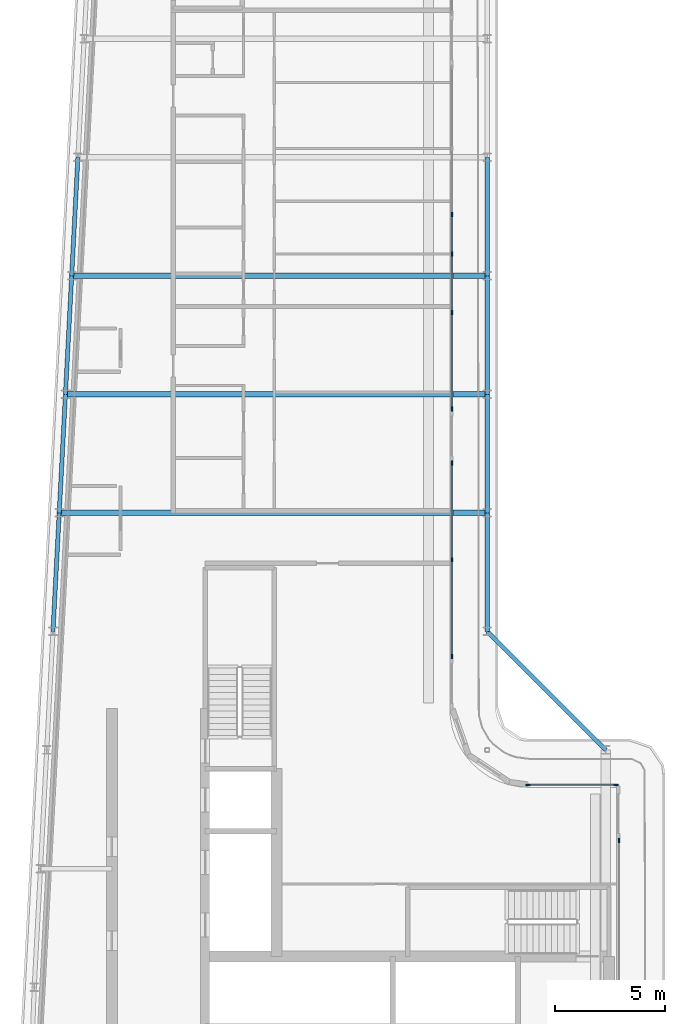
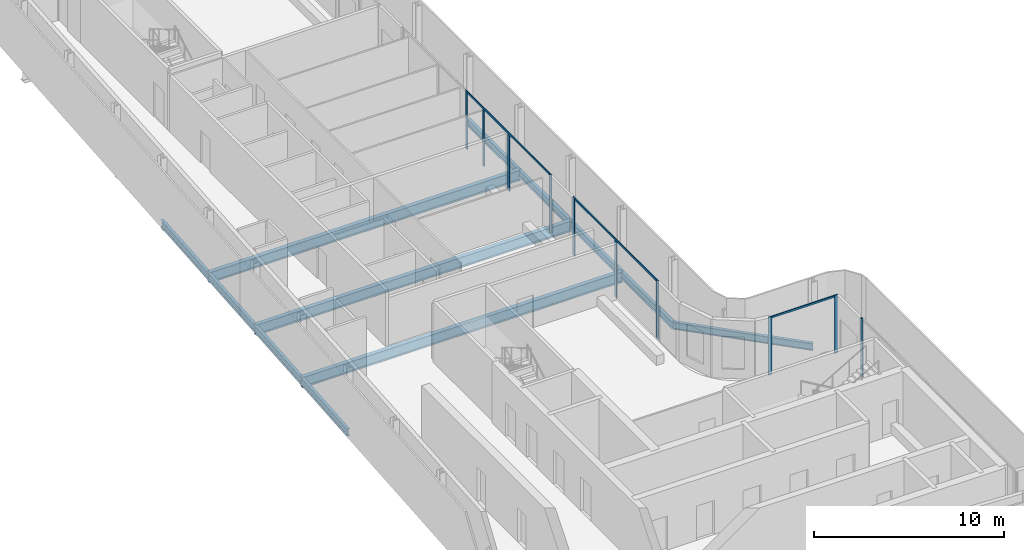
# One storey, part 5 of 19: 13 members, 12 beams, 5 elements without a shape of their own.
"""IFC4 building model written with IfcOpenShell, lengths in metres."""

from ifc_helpers import new_model, si_unit, direction, frame, origin, origin_2d, place, context, subcontext, project, spatial, rectangle, i_section, extrude, material, layer, layer_set, material_profile, profile_set, type_object, element, aggregate, save


model = new_model("IFC4")

# Units and contexts
model_context = context("Model", 3, precision=1e-05, world=origin(), true_north=direction((0.0, 1.0)))
body_context = subcontext(model_context, "Body", "Model", "MODEL_VIEW")
ifc_project = project(units=[si_unit("LENGTHUNIT", "METRE"), si_unit("AREAUNIT", "SQUARE_METRE"), si_unit("VOLUMEUNIT", "CUBIC_METRE"), si_unit("PLANEANGLEUNIT", "RADIAN"), si_unit("MASSUNIT", "GRAM", prefix="KILO")], contexts=[model_context])

# Site, building, storey
site_placement = place(None, origin())
site = spatial("IfcSite", under=ifc_project, at=site_placement, CompositionType="ELEMENT")
building_placement = place(site_placement, origin())
building = spatial("IfcBuilding", under=site, at=building_placement, Name="Kheshtan School and Residences Tower", CompositionType="ELEMENT")
storey_placement = place(building_placement, frame((0.0, 0.0, 357.800048828125)))
storey = spatial("IfcBuildingStorey", under=building, at=storey_placement, Name="L84", CompositionType="ELEMENT", Elevation=357.800048828125)

# Beams
ifc_material_1 = material(Name="Steel ASTM A992 Grade 50", Category="steel")
ifc_material_profile_1 = material_profile(ifc_material_1, i_section(OverallWidth=0.2529296875, OverallDepth=0.677978515625, WebThickness=0.01171875, FlangeThickness=0.016357421875, FilletRadius=0.0146484375, at=origin_2d()), Name="W690x125")
ifc_profile_set_1 = profile_set([ifc_material_profile_1], Name="Steel ASTM A992 Grade 50")
beam_type_1 = type_object("IfcBeamType", Name="Beam FB6 W690x125 ASTM A992 Grade 50", PredefinedType="BEAM", material=ifc_profile_set_1)
beam_1_placement = place(storey_placement, frame((47.60009765625, 67.199951171875, -0.489013671875), z_axis=(-1.0, 0.0, 0.0), x_axis=(0.0, -1.0, 0.0)))
element("IfcBeam", 1, at=beam_1_placement, inside=storey, type_object=beam_type_1, Name="Floor beam C085", PredefinedType="BEAM", context=body_context, shape_type="SweptSolid", body=[
    extrude(i_section(OverallWidth=0.2529296875, OverallDepth=0.677978515625, WebThickness=0.01171875, FlangeThickness=0.016357421875, FilletRadius=0.0146484375, at=origin_2d()), origin(), (0.0, 0.0, 1.0), 18.926025390625),
])
beam_2_placement = place(storey_placement, frame((47.60009765625, 56.39990234375, -0.489013671875), z_axis=(-1.0, 0.0, 0.0), x_axis=(0.0, -1.0, 0.0)))
element("IfcBeam", 2, at=beam_2_placement, inside=storey, type_object=beam_type_1, Name="Floor beam C081", PredefinedType="BEAM", context=body_context, shape_type="SweptSolid", body=[
    extrude(i_section(OverallWidth=0.2529296875, OverallDepth=0.677978515625, WebThickness=0.01171875, FlangeThickness=0.016357421875, FilletRadius=0.0146484375, at=origin_2d()), origin(), (0.0, 0.0, 1.0), 19.494140625),
])
beam_3_placement = place(storey_placement, frame((28.389892578125, 61.800048828125, -0.489013671875), z_axis=(1.0, 0.0, 0.0), x_axis=(0.0, 1.0, 0.0)))
element("IfcBeam", 3, at=beam_3_placement, inside=storey, type_object=beam_type_1, Name="Floor beam C082", PredefinedType="BEAM", context=body_context, shape_type="SweptSolid", body=[
    extrude(i_section(OverallWidth=0.2529296875, OverallDepth=0.677978515625, WebThickness=0.01171875, FlangeThickness=0.016357421875, FilletRadius=0.0146484375, at=origin_2d()), origin(), (0.0, 0.0, 1.0), 19.210205078125),
])
ifc_material_profile_2 = material_profile(ifc_material_1, i_section(OverallWidth=0.18994140625, OverallDepth=0.45703125, WebThickness=0.009033203125, FlangeThickness=0.014404296875, FilletRadius=0.01318359375, at=origin_2d()), Name="W460x74")
ifc_profile_set_2 = profile_set([ifc_material_profile_2], Name="Steel ASTM A992 Grade 50")
beam_type_2 = type_object("IfcBeamType", Name="Beam SP4 W460x74 ASTM A992 Grade 50", PredefinedType="BEAM", material=ifc_profile_set_2)
beam_4_placement = place(storey_placement, frame((47.60009765625, 72.60009765625, -0.378662109375), z_axis=(0.0, -1.0, 0.0), x_axis=(1.0, 0.0, 0.0)))
element("IfcBeam", 4, at=beam_4_placement, inside=storey, type_object=beam_type_2, Name="Spandrel beam C087-C085", PredefinedType="BEAM", context=body_context, shape_type="SweptSolid", body=[
    extrude(i_section(OverallWidth=0.18994140625, OverallDepth=0.45703125, WebThickness=0.009033203125, FlangeThickness=0.014404296875, FilletRadius=0.01318359375, at=origin_2d()), origin(), (0.0, 0.0, 1.0), 5.400146484375),
])
beam_5_placement = place(storey_placement, frame((47.60009765625, 67.199951171875, -0.378662109375), z_axis=(0.0, -1.0, 0.0), x_axis=(1.0, 0.0, 0.0)))
element("IfcBeam", 5, at=beam_5_placement, inside=storey, type_object=beam_type_2, Name="Spandrel beam C085-C083", PredefinedType="BEAM", context=body_context, shape_type="SweptSolid", body=[
    extrude(i_section(OverallWidth=0.18994140625, OverallDepth=0.45703125, WebThickness=0.009033203125, FlangeThickness=0.014404296875, FilletRadius=0.01318359375, at=origin_2d()), origin(), (0.0, 0.0, 1.0), 5.39990234375),
])
beam_6_placement = place(storey_placement, frame((47.60009765625, 61.800048828125, -0.378662109375), z_axis=(0.0, -1.0, 0.0), x_axis=(1.0, 0.0, 0.0)))
element("IfcBeam", 6, at=beam_6_placement, inside=storey, type_object=beam_type_2, Name="Spandrel beam C083-C081", PredefinedType="BEAM", context=body_context, shape_type="SweptSolid", body=[
    extrude(i_section(OverallWidth=0.18994140625, OverallDepth=0.45703125, WebThickness=0.009033203125, FlangeThickness=0.014404296875, FilletRadius=0.01318359375, at=origin_2d()), origin(), (0.0, 0.0, 1.0), 5.400146484375),
])
beam_7_placement = place(storey_placement, frame((47.60009765625, 56.39990234375, -0.378662109375), z_axis=(0.0, -1.0, 0.0), x_axis=(1.0, 0.0, 0.0)))
element("IfcBeam", 7, at=beam_7_placement, inside=storey, type_object=beam_type_2, Name="Spandrel beam C081-C079", PredefinedType="BEAM", context=body_context, shape_type="SweptSolid", body=[
    extrude(i_section(OverallWidth=0.18994140625, OverallDepth=0.45703125, WebThickness=0.009033203125, FlangeThickness=0.014404296875, FilletRadius=0.01318359375, at=origin_2d()), origin(), (0.0, 0.0, 1.0), 5.39990234375),
])
beam_8_placement = place(storey_placement, frame((47.60009765625, 51.0, -0.378662109375), z_axis=(0.707106781187, -0.707106781187, 0.0), x_axis=(0.707106781187, 0.707106781187, 0.0)))
element("IfcBeam", 8, at=beam_8_placement, inside=storey, type_object=beam_type_2, Name="Spandrel beam C079-C061", PredefinedType="BEAM", context=body_context, shape_type="SweptSolid", body=[
    extrude(i_section(OverallWidth=0.18994140625, OverallDepth=0.45703125, WebThickness=0.009033203125, FlangeThickness=0.014404296875, FilletRadius=0.01318359375, at=origin_2d()), origin(), (0.0, 0.0, 1.0), 7.63671875),
])
beam_9_placement = place(storey_placement, frame((27.822021484375, 51.0, -0.378662109375), z_axis=(0.05250906864, 0.998620447272, 0.0), x_axis=(-0.998620447272, 0.05250906864, 0.0)))
element("IfcBeam", 9, at=beam_9_placement, inside=storey, type_object=beam_type_2, Name="Spandrel beam C078-C080", PredefinedType="BEAM", context=body_context, shape_type="SweptSolid", body=[
    extrude(i_section(OverallWidth=0.18994140625, OverallDepth=0.45703125, WebThickness=0.009033203125, FlangeThickness=0.014404296875, FilletRadius=0.01318359375, at=origin_2d()), origin(), (0.0, 0.0, 1.0), 5.407470703125),
])
beam_10_placement = place(storey_placement, frame((28.10595703125, 56.39990234375, -0.378662109375), z_axis=(0.05250670125, 0.998620571751, 0.0), x_axis=(-0.998620571751, 0.05250670125, 0.0)))
element("IfcBeam", 10, at=beam_10_placement, inside=storey, type_object=beam_type_2, Name="Spandrel beam C080-C082", PredefinedType="BEAM", context=body_context, shape_type="SweptSolid", body=[
    extrude(i_section(OverallWidth=0.18994140625, OverallDepth=0.45703125, WebThickness=0.009033203125, FlangeThickness=0.014404296875, FilletRadius=0.01318359375, at=origin_2d()), origin(), (0.0, 0.0, 1.0), 5.40771484375),
])
beam_11_placement = place(storey_placement, frame((28.389892578125, 61.800048828125, -0.378662109375), z_axis=(0.052554093665, 0.998618078766, 0.0), x_axis=(-0.998618078766, 0.052554093665, 0.0)))
element("IfcBeam", 11, at=beam_11_placement, inside=storey, type_object=beam_type_2, Name="Spandrel beam C082-C084", PredefinedType="BEAM", context=body_context, shape_type="SweptSolid", body=[
    extrude(i_section(OverallWidth=0.18994140625, OverallDepth=0.45703125, WebThickness=0.009033203125, FlangeThickness=0.014404296875, FilletRadius=0.01318359375, at=origin_2d()), origin(), (0.0, 0.0, 1.0), 5.407470703125),
])
beam_12_placement = place(storey_placement, frame((28.674072265625, 67.199951171875, -0.378662109375), z_axis=(0.05250670125, 0.998620571751, 0.0), x_axis=(-0.998620571751, 0.05250670125, 0.0)))
element("IfcBeam", 12, at=beam_12_placement, inside=storey, type_object=beam_type_2, Name="Spandrel beam C084-C086", PredefinedType="BEAM", context=body_context, shape_type="SweptSolid", body=[
    extrude(i_section(OverallWidth=0.18994140625, OverallDepth=0.45703125, WebThickness=0.009033203125, FlangeThickness=0.014404296875, FilletRadius=0.01318359375, at=origin_2d()), origin(), (0.0, 0.0, 1.0), 5.40771484375),
])

# Curtain wall, members
ifc_material_2 = material(Name="Clear low-e glass in thermally broken aluminium frame", Category="aluminium")
ifc_layer_1 = layer(ifc_material_2, 0.199951171875)
ifc_layer_set_1 = layer_set([ifc_layer_1], Name="Curtain wall CW-B")
curtain_wall_type_1 = type_object("IfcCurtainWallType", Name="Curtain wall CW-B", PredefinedType="NOTDEFINED", material=ifc_layer_set_1)
curtain_wall_1_placement = place(storey_placement, origin())
curtain_wall_1 = element("IfcCurtainWall", 13, at=curtain_wall_1_placement, inside=storey, type_object=curtain_wall_type_1, Name="Curtain wall CWB8", PredefinedType="NOTDEFINED")
ifc_material_3 = material(Name="Thermally broken aluminium, dark bronze anodised", Category="aluminium")
ifc_material_profile_3 = material_profile(ifc_material_3, rectangle(XDim=0.06005859375, YDim=0.199951171875, at=origin_2d()), Name="CW-B mullion 60x200")
ifc_profile_set_3 = profile_set([ifc_material_profile_3], Name="Thermally broken aluminium, dark bronze anodised")
member_type_1 = type_object("IfcMemberType", Name="CW-B mullion 60x200", PredefinedType="MULLION", material=ifc_profile_set_3)
member_1_placement = place(storey_placement, frame((49.4599609375, 44.0, 0.0), z_axis=(0.0, 0.0, 1.0), x_axis=(0.0, 1.0, 0.0)))
member_1 = element("IfcMember", 14, at=member_1_placement, type_object=member_type_1, Name="CWB8 mullion 1", PredefinedType="MULLION", context=body_context, shape_type="SweptSolid", body=[
    extrude(rectangle(XDim=0.06005859375, YDim=0.199951171875, at=origin_2d()), origin(), (0.0, 0.0, 1.0), 3.75),
])
member_2_placement = place(storey_placement, frame((53.469970703125, 44.0, 0.0), z_axis=(0.0, 0.0, 1.0), x_axis=(0.0, 1.0, 0.0)))
member_2 = element("IfcMember", 15, at=member_2_placement, type_object=member_type_1, Name="CWB8 mullion 2", PredefinedType="MULLION", context=body_context, shape_type="SweptSolid", body=[
    extrude(rectangle(XDim=0.06005859375, YDim=0.199951171875, at=origin_2d()), origin(), (0.0, 0.0, 1.0), 3.75),
])
ifc_material_profile_4 = material_profile(ifc_material_3, rectangle(XDim=0.06005859375, YDim=0.1201171875, at=origin_2d()), Name="CW-B transom 60x120")
ifc_profile_set_4 = profile_set([ifc_material_profile_4], Name="Thermally broken aluminium, dark bronze anodised")
member_type_2 = type_object("IfcMemberType", Name="CW-B transom 60x120", PredefinedType="USERDEFINED", material=ifc_profile_set_4)
member_3_placement = place(storey_placement, frame((49.489990234375, 44.0, 3.68994140625), z_axis=(1.0, 0.0, 0.0), x_axis=(0.0, 1.0, 0.0)))
member_3 = element("IfcMember", 16, at=member_3_placement, type_object=member_type_2, Name="CWB8 transom 1", ObjectType="TRANSOM", PredefinedType="USERDEFINED", context=body_context, shape_type="SweptSolid", body=[
    extrude(rectangle(XDim=0.06005859375, YDim=0.1201171875, at=origin_2d()), origin(), (0.0, 0.0, 1.0), 3.949951171875),
])
aggregate(curtain_wall_1, [member_1, member_2, member_3])

# Curtain wall, member
ifc_layer_2 = layer(ifc_material_2, 0.199951171875)
ifc_layer_set_2 = layer_set([ifc_layer_2], Name="Curtain wall CW-L")
curtain_wall_type_2 = type_object("IfcCurtainWallType", Name="Curtain wall CW-L", PredefinedType="NOTDEFINED", material=ifc_layer_set_2)
curtain_wall_2_placement = place(storey_placement, origin())
curtain_wall_2 = element("IfcCurtainWall", 17, at=curtain_wall_2_placement, inside=storey, type_object=curtain_wall_type_2, Name="Curtain wall CWL4l", PredefinedType="NOTDEFINED")
ifc_material_profile_5 = material_profile(ifc_material_3, rectangle(XDim=0.06005859375, YDim=0.199951171875, at=origin_2d()), Name="CW-L mullion 60x200")
ifc_profile_set_5 = profile_set([ifc_material_profile_5], Name="Thermally broken aluminium, dark bronze anodised")
member_type_3 = type_object("IfcMemberType", Name="CW-L mullion 60x200", PredefinedType="MULLION", material=ifc_profile_set_5)
member_4_placement = place(storey_placement, frame((46.0, 69.9951171875, 0.0), z_axis=(0.0, 0.0, 1.0), x_axis=(1.0, 0.0, 0.0)))
member_4 = element("IfcMember", 18, at=member_4_placement, type_object=member_type_3, Name="CWL4l mullion 3", PredefinedType="MULLION", context=body_context, shape_type="SweptSolid", body=[
    extrude(rectangle(XDim=0.06005859375, YDim=0.199951171875, at=origin_2d()), origin(), (0.0, 0.0, 1.0), 3.75),
])
aggregate(curtain_wall_2, [member_4])

# Curtain wall, members
curtain_wall_3_placement = place(storey_placement, origin())
curtain_wall_3 = element("IfcCurtainWall", 19, at=curtain_wall_3_placement, inside=storey, type_object=curtain_wall_type_2, Name="Curtain wall CWL4n", PredefinedType="NOTDEFINED")
member_5_placement = place(storey_placement, frame((46.0, 68.199951171875, 0.0), z_axis=(0.0, 0.0, 1.0), x_axis=(1.0, 0.0, 0.0)))
member_5 = element("IfcMember", 20, at=member_5_placement, type_object=member_type_3, Name="CWL4n mullion 2", PredefinedType="MULLION", context=body_context, shape_type="SweptSolid", body=[
    extrude(rectangle(XDim=0.06005859375, YDim=0.199951171875, at=origin_2d()), origin(), (0.0, 0.0, 1.0), 3.6298828125),
])
member_6_placement = place(storey_placement, frame((46.0, 65.53125, 0.0), z_axis=(0.0, 0.0, 1.0), x_axis=(1.0, 0.0, 0.0)))
member_6 = element("IfcMember", 21, at=member_6_placement, type_object=member_type_3, Name="CWL4n mullion 3", PredefinedType="MULLION", context=body_context, shape_type="SweptSolid", body=[
    extrude(rectangle(XDim=0.06005859375, YDim=0.199951171875, at=origin_2d()), origin(), (0.0, 0.0, 1.0), 3.6298828125),
])
member_7_placement = place(storey_placement, frame((46.0, 61.12744140625, 0.0), z_axis=(0.0, 0.0, 1.0), x_axis=(1.0, 0.0, 0.0)))
member_7 = element("IfcMember", 22, at=member_7_placement, type_object=member_type_3, Name="CWL4n mullion 4", PredefinedType="MULLION", context=body_context, shape_type="SweptSolid", body=[
    extrude(rectangle(XDim=0.06005859375, YDim=0.199951171875, at=origin_2d()), origin(), (0.0, 0.0, 1.0), 3.75),
])

curtain_wall_4_placement = place(storey_placement, origin())
curtain_wall_4 = element("IfcCurtainWall", 23, at=curtain_wall_4_placement, inside=storey, type_object=curtain_wall_type_2, Name="Curtain wall CWL4b", PredefinedType="NOTDEFINED")
member_8_placement = place(storey_placement, frame((46.0, 58.66748046875, 0.0), z_axis=(0.0, 0.0, 1.0), x_axis=(1.0, 0.0, 0.0)))
member_8 = element("IfcMember", 24, at=member_8_placement, type_object=member_type_3, Name="CWL4b mullion 1", PredefinedType="MULLION", context=body_context, shape_type="SweptSolid", body=[
    extrude(rectangle(XDim=0.06005859375, YDim=0.199951171875, at=origin_2d()), origin(), (0.0, 0.0, 1.0), 3.75),
])
member_9_placement = place(storey_placement, frame((46.0, 54.263671875, 0.0), z_axis=(0.0, 0.0, 1.0), x_axis=(1.0, 0.0, 0.0)))
member_9 = element("IfcMember", 25, at=member_9_placement, type_object=member_type_3, Name="CWL4b mullion 2", PredefinedType="MULLION", context=body_context, shape_type="SweptSolid", body=[
    extrude(rectangle(XDim=0.06005859375, YDim=0.199951171875, at=origin_2d()), origin(), (0.0, 0.0, 1.0), 3.6298828125),
])
member_10_placement = place(storey_placement, frame((46.0, 49.860107421875, 0.0), z_axis=(0.0, 0.0, 1.0), x_axis=(1.0, 0.0, 0.0)))
member_10 = element("IfcMember", 26, at=member_10_placement, type_object=member_type_3, Name="CWL4b mullion 3", PredefinedType="MULLION", context=body_context, shape_type="SweptSolid", body=[
    extrude(rectangle(XDim=0.06005859375, YDim=0.199951171875, at=origin_2d()), origin(), (0.0, 0.0, 1.0), 3.75),
])

# Curtain wall, member
curtain_wall_5_placement = place(storey_placement, origin())
curtain_wall_5 = element("IfcCurtainWall", 27, at=curtain_wall_5_placement, inside=storey, type_object=curtain_wall_type_2, Name="Curtain wall CWL9e", PredefinedType="NOTDEFINED")
member_11_placement = place(storey_placement, frame((53.60009765625, 41.469970703125, 0.0), z_axis=(0.0, 0.0, 1.0), x_axis=(1.0, 0.0, 0.0)))
member_11 = element("IfcMember", 28, at=member_11_placement, type_object=member_type_3, Name="CWL9e mullion 1", PredefinedType="MULLION", context=body_context, shape_type="SweptSolid", body=[
    extrude(rectangle(XDim=0.06005859375, YDim=0.199951171875, at=origin_2d()), origin(), (0.0, 0.0, 1.0), 3.75),
])
aggregate(curtain_wall_5, [member_11])

# Member
ifc_material_profile_6 = material_profile(ifc_material_3, rectangle(XDim=0.06005859375, YDim=0.1201171875, at=origin_2d()), Name="CW-L transom 60x120")
ifc_profile_set_6 = profile_set([ifc_material_profile_6], Name="Thermally broken aluminium, dark bronze anodised")
member_type_4 = type_object("IfcMemberType", Name="CW-L transom 60x120", PredefinedType="USERDEFINED", material=ifc_profile_set_6)
member_12_placement = place(storey_placement, frame((46.0, 69.965087890625, 3.68994140625), z_axis=(0.0, -1.0, 0.0), x_axis=(1.0, 0.0, 0.0)))
member_12 = element("IfcMember", 29, at=member_12_placement, type_object=member_type_4, Name="CWL4n transom 1", ObjectType="TRANSOM", PredefinedType="USERDEFINED", context=body_context, shape_type="SweptSolid", body=[
    extrude(rectangle(XDim=0.06005859375, YDim=0.1201171875, at=origin_2d()), origin(), (0.0, 0.0, 1.0), 8.8076171875),
])

aggregate(curtain_wall_3, [member_5, member_6, member_7, member_12])

member_13_placement = place(storey_placement, frame((46.0, 58.637451171875, 3.68994140625), z_axis=(0.0, -1.0, 0.0), x_axis=(1.0, 0.0, 0.0)))
member_13 = element("IfcMember", 30, at=member_13_placement, type_object=member_type_4, Name="CWL4b transom 1", ObjectType="TRANSOM", PredefinedType="USERDEFINED", context=body_context, shape_type="SweptSolid", body=[
    extrude(rectangle(XDim=0.06005859375, YDim=0.1201171875, at=origin_2d()), origin(), (0.0, 0.0, 1.0), 8.74755859375),
])

aggregate(curtain_wall_4, [member_8, member_9, member_10, member_13])

save(model, "model.ifc")
